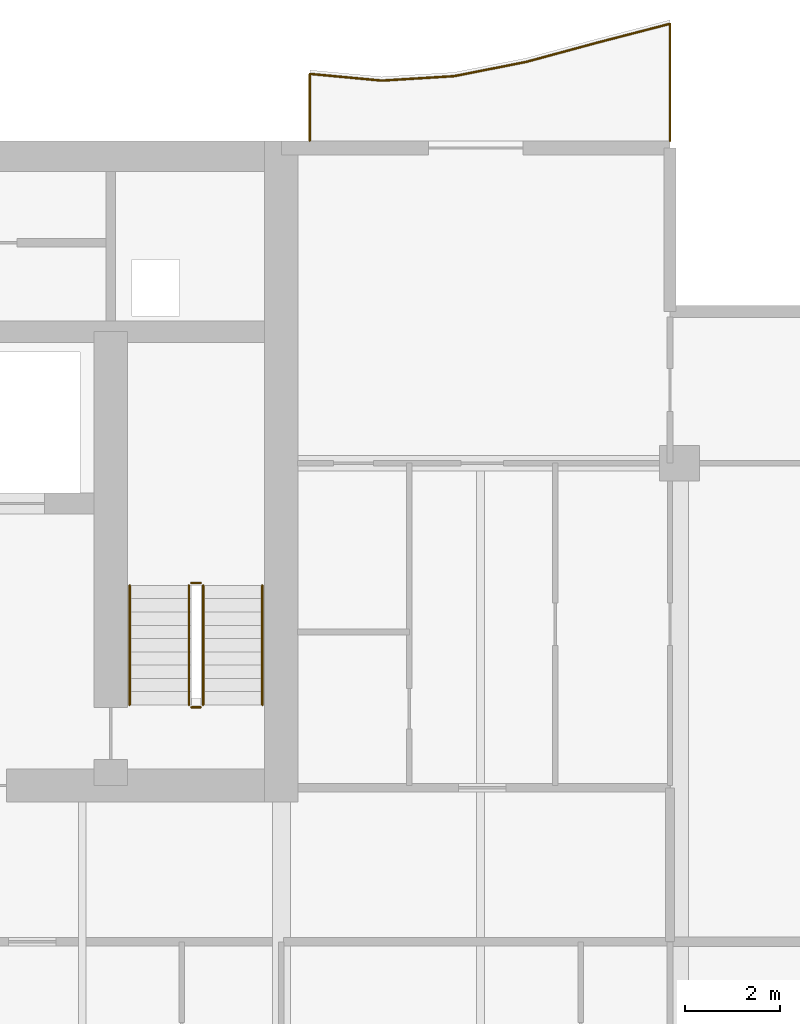
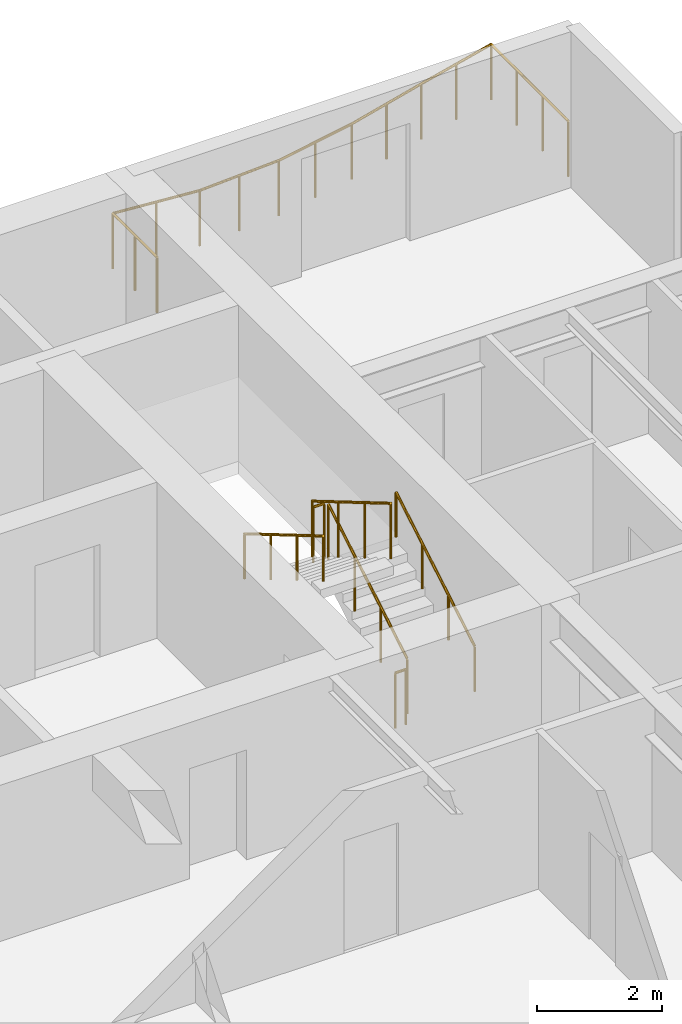
# One storey, part 17 of 18: 7 railings.
"""IFC4 building model written with IfcOpenShell, lengths in metres."""

from ifc_helpers import new_model, si_unit, direction, frame, origin, origin_2d, place, context, subcontext, project, spatial, circle, extrude, material, type_object, element, save


model = new_model("IFC4")

# Units and contexts
model_context = context("Model", 3, precision=1e-05, world=origin(), true_north=direction((0.0, 1.0)))
body_context = subcontext(model_context, "Body", "Model", "MODEL_VIEW")
ifc_project = project(units=[si_unit("LENGTHUNIT", "METRE"), si_unit("AREAUNIT", "SQUARE_METRE"), si_unit("VOLUMEUNIT", "CUBIC_METRE"), si_unit("PLANEANGLEUNIT", "RADIAN"), si_unit("MASSUNIT", "GRAM", prefix="KILO")], contexts=[model_context])

# Site, building, storey
site_placement = place(None, origin())
site = spatial("IfcSite", under=ifc_project, at=site_placement, CompositionType="ELEMENT")
building_placement = place(site_placement, origin())
building = spatial("IfcBuilding", under=site, at=building_placement, Name="Caelmar Bay Residences", CompositionType="ELEMENT")
storey_placement = place(building_placement, frame((0.0, 0.0, 170.39990234375)))
storey = spatial("IfcBuildingStorey", under=building, at=storey_placement, Name="L47", CompositionType="ELEMENT", Elevation=170.39990234375)

# Railings
ifc_material_1 = material(Name="Anodised bronze handrail with laminated hurricane glass infill", Category="glass")
railing_type_1 = type_object("IfcRailingType", Name="RL-BAL-1100", PredefinedType="BALUSTRADE", material=ifc_material_1)
railing_1_placement = place(storey_placement, frame((67.699951171875, 50.60009765625, 0.0)))
element("IfcRailing", 1, at=railing_1_placement, inside=storey, type_object=railing_type_1, Name="L47 north_east Balcony Balustrade", PredefinedType="BALUSTRADE", context=body_context, shape_type="SweptSolid", body=[
    extrude(circle(Radius=0.02392578125, at=origin_2d()), frame((0.0, 0.0, 1.076171875), z_axis=(0.0, 1.0, 0.0), x_axis=(-1.0, 0.0, 0.0)), (0.0, 0.0, 1.0), 2.4697265625),
    extrude(circle(Radius=0.02392578125, at=origin_2d()), frame((0.0, 2.4697265625, 1.076171875), z_axis=(-0.968040251218, -0.250794880375, 0.0), x_axis=(0.250794880375, -0.968040251218, 0.0)), (0.0, 0.0, 1.0), 1.5703125),
    extrude(circle(Radius=0.02392578125, at=origin_2d()), frame((-1.52001953125, 2.075927734375, 1.076171875), z_axis=(-0.965273626461, -0.261240934884, 0.0), x_axis=(0.261240934884, -0.965273626461, 0.0)), (0.0, 0.0, 1.0), 1.57470703125),
    extrude(circle(Radius=0.02392578125, at=origin_2d()), frame((-3.0400390625, 1.66455078125, 1.076171875), z_axis=(-0.981098441437, -0.193509297476, 0.0), x_axis=(0.193509297476, -0.981098441437, 0.0)), (0.0, 0.0, 1.0), 1.54931640625),
    extrude(circle(Radius=0.02392578125, at=origin_2d()), frame((-4.56005859375, 1.36474609375, 1.076171875), z_axis=(-0.998112625987, -0.061409981647, 0.0), x_axis=(0.061409981647, -0.998112625987, 0.0)), (0.0, 0.0, 1.0), 1.522705078125),
    extrude(circle(Radius=0.02392578125, at=origin_2d()), frame((-6.079833984375, 1.271240234375, 1.076171875), z_axis=(-0.995674076689, 0.092914654442, 0.0), x_axis=(-0.092914654442, -0.995674076689, 0.0)), (0.0, 0.0, 1.0), 1.526611328125),
    extrude(circle(Radius=0.02392578125, at=origin_2d()), frame((-7.599853515625, 1.4130859375, 1.076171875), z_axis=(0.0, -1.0, 0.0), x_axis=(1.0, 0.0, 0.0)), (0.0, 0.0, 1.0), 1.4130859375),
    extrude(circle(Radius=0.02099609375, at=origin_2d()), origin(), (0.0, 0.0, 1.0), 1.052001953125),
    extrude(circle(Radius=0.02099609375, at=origin_2d()), frame((0.0, 0.8232421875, 0.0)), (0.0, 0.0, 1.0), 1.052001953125),
    extrude(circle(Radius=0.02099609375, at=origin_2d()), frame((0.0, 1.646484375, 0.0)), (0.0, 0.0, 1.0), 1.052001953125),
    extrude(circle(Radius=0.02099609375, at=origin_2d()), frame((0.0, 2.4697265625, 0.0)), (0.0, 0.0, 1.0), 1.052001953125),
    extrude(circle(Radius=0.02099609375, at=origin_2d()), frame((-0.760009765625, 2.27294921875, 0.0)), (0.0, 0.0, 1.0), 1.052001953125),
    extrude(circle(Radius=0.02099609375, at=origin_2d()), frame((-1.52001953125, 2.075927734375, 0.0)), (0.0, 0.0, 1.0), 1.052001953125),
    extrude(circle(Radius=0.02099609375, at=origin_2d()), frame((-2.280029296875, 1.8701171875, 0.0)), (0.0, 0.0, 1.0), 1.052001953125),
    extrude(circle(Radius=0.02099609375, at=origin_2d()), frame((-3.0400390625, 1.66455078125, 0.0)), (0.0, 0.0, 1.0), 1.052001953125),
    extrude(circle(Radius=0.02099609375, at=origin_2d()), frame((-3.800048828125, 1.5146484375, 0.0)), (0.0, 0.0, 1.0), 1.052001953125),
    extrude(circle(Radius=0.02099609375, at=origin_2d()), frame((-4.56005859375, 1.36474609375, 0.0)), (0.0, 0.0, 1.0), 1.052001953125),
    extrude(circle(Radius=0.02099609375, at=origin_2d()), frame((-5.31982421875, 1.31787109375, 0.0)), (0.0, 0.0, 1.0), 1.052001953125),
    extrude(circle(Radius=0.02099609375, at=origin_2d()), frame((-6.079833984375, 1.271240234375, 0.0)), (0.0, 0.0, 1.0), 1.052001953125),
    extrude(circle(Radius=0.02099609375, at=origin_2d()), frame((-6.83984375, 1.34228515625, 0.0)), (0.0, 0.0, 1.0), 1.052001953125),
    extrude(circle(Radius=0.02099609375, at=origin_2d()), frame((-7.599853515625, 1.4130859375, 0.0)), (0.0, 0.0, 1.0), 1.052001953125),
    extrude(circle(Radius=0.02099609375, at=origin_2d()), frame((-7.599853515625, 0.70654296875, 0.0)), (0.0, 0.0, 1.0), 1.052001953125),
    extrude(circle(Radius=0.02099609375, at=origin_2d()), frame((-7.599853515625, 0.0, 0.0)), (0.0, 0.0, 1.0), 1.052001953125),
])
ifc_material_2 = material(Name="Painted galvanized steel stair guard 1100 mm", Category="steel")
railing_type_2 = type_object("IfcRailingType", Name="RL-GRD-1100", PredefinedType="GUARDRAIL", material=ifc_material_2)
railing_2_placement = place(storey_placement, frame((57.85009765625, 38.699951171875, 0.1650390625)))
element("IfcRailing", 2, at=railing_2_placement, inside=storey, type_object=railing_type_2, Name="L47 ST2 stair guard 1", PredefinedType="GUARDRAIL", context=body_context, shape_type="SweptSolid", body=[
    extrude(circle(Radius=0.02392578125, at=origin_2d()), frame((0.0, 0.0, 1.076171875), z_axis=(0.0, 0.86152411907, 0.507716645641), x_axis=(-1.0, 0.0, 0.0)), (0.0, 0.0, 1.0), 2.925048828125),
    extrude(circle(Radius=0.02099609375, at=origin_2d()), origin(), (0.0, 0.0, 1.0), 1.052001953125),
    extrude(circle(Radius=0.02099609375, at=origin_2d()), frame((0.0, 0.840087890625, 0.4951171875)), (0.0, 0.0, 1.0), 1.052001953125),
    extrude(circle(Radius=0.02099609375, at=origin_2d()), frame((0.0, 1.679931640625, 0.989990234375)), (0.0, 0.0, 1.0), 1.052001953125),
    extrude(circle(Radius=0.02099609375, at=origin_2d()), frame((0.0, 2.52001953125, 1.485107421875)), (0.0, 0.0, 1.0), 1.052001953125),
])
railing_3_placement = place(storey_placement, frame((57.800048828125, 41.27001953125, 1.650146484375)))
element("IfcRailing", 3, at=railing_3_placement, inside=storey, type_object=railing_type_2, Name="L47 ST2 stair guard 2", PredefinedType="GUARDRAIL", context=body_context, shape_type="SweptSolid", body=[
    extrude(circle(Radius=0.02392578125, at=origin_2d()), frame((0.0, 0.0, 1.076171875), z_axis=(-1.0, 0.0, 0.0), x_axis=(0.0, -1.0, 0.0)), (0.0, 0.0, 1.0), 0.199951171875),
    extrude(circle(Radius=0.02099609375, at=origin_2d()), origin(), (0.0, 0.0, 1.0), 1.052001953125),
    extrude(circle(Radius=0.02099609375, at=origin_2d()), frame((-0.199951171875, 0.0, 0.0)), (0.0, 0.0, 1.0), 1.052001953125),
])
railing_4_placement = place(storey_placement, frame((57.550048828125, 41.219970703125, 1.815185546875)))
element("IfcRailing", 4, at=railing_4_placement, inside=storey, type_object=railing_type_2, Name="L47 ST2 stair guard 3", PredefinedType="GUARDRAIL", context=body_context, shape_type="SweptSolid", body=[
    extrude(circle(Radius=0.02392578125, at=origin_2d()), frame((0.0, 0.0, 1.076171875), z_axis=(0.0, -0.861560626758, 0.507654692109), x_axis=(1.0, 0.0, 0.0)), (0.0, 0.0, 1.0), 2.925048828125),
    extrude(circle(Radius=0.02099609375, at=origin_2d()), origin(), (0.0, 0.0, 1.0), 1.052001953125),
    extrude(circle(Radius=0.02099609375, at=origin_2d()), frame((0.0, -0.840087890625, 0.494873046875)), (0.0, 0.0, 1.0), 1.052001953125),
    extrude(circle(Radius=0.02099609375, at=origin_2d()), frame((0.0, -1.679931640625, 0.989990234375)), (0.0, 0.0, 1.0), 1.052001953125),
    extrude(circle(Radius=0.02099609375, at=origin_2d()), frame((0.0, -2.52001953125, 1.48486328125)), (0.0, 0.0, 1.0), 1.052001953125),
])
railing_5_placement = place(storey_placement, frame((57.800048828125, 38.64990234375, 0.0)))
element("IfcRailing", 5, at=railing_5_placement, inside=storey, type_object=railing_type_2, Name="L47 ST2 stair guard 4", PredefinedType="GUARDRAIL", context=body_context, shape_type="SweptSolid", body=[
    extrude(circle(Radius=0.02392578125, at=origin_2d()), frame((0.0, 0.0, 1.076171875), z_axis=(-1.0, 0.0, 0.0), x_axis=(0.0, -1.0, 0.0)), (0.0, 0.0, 1.0), 0.199951171875),
    extrude(circle(Radius=0.02099609375, at=origin_2d()), origin(), (0.0, 0.0, 1.0), 1.052001953125),
    extrude(circle(Radius=0.02099609375, at=origin_2d()), frame((-0.199951171875, 0.0, 0.0)), (0.0, 0.0, 1.0), 1.052001953125),
])
ifc_material_3 = material(Name="Brushed bronze stainless-steel tubular handrail 900 mm", Category="steel")
railing_type_3 = type_object("IfcRailingType", Name="RL-HND-900", PredefinedType="HANDRAIL", material=ifc_material_3)
railing_6_placement = place(storey_placement, frame((59.10009765625, 38.699951171875, 0.1650390625)))
element("IfcRailing", 6, at=railing_6_placement, inside=storey, type_object=railing_type_3, Name="L47 ST2 stair handrail 1", PredefinedType="HANDRAIL", context=body_context, shape_type="SweptSolid", body=[
    extrude(circle(Radius=0.02392578125, at=origin_2d()), frame((0.0, 0.0, 0.8759765625), z_axis=(0.0, 0.86152411907, 0.507716645641), x_axis=(-1.0, 0.0, 0.0)), (0.0, 0.0, 1.0), 2.925048828125),
    extrude(circle(Radius=0.02099609375, at=origin_2d()), origin(), (0.0, 0.0, 1.0), 0.851806640625),
    extrude(circle(Radius=0.02099609375, at=origin_2d()), frame((0.0, 0.840087890625, 0.4951171875)), (0.0, 0.0, 1.0), 0.851806640625),
    extrude(circle(Radius=0.02099609375, at=origin_2d()), frame((0.0, 1.679931640625, 0.989990234375)), (0.0, 0.0, 1.0), 0.851806640625),
    extrude(circle(Radius=0.02099609375, at=origin_2d()), frame((0.0, 2.52001953125, 1.485107421875)), (0.0, 0.0, 1.0), 0.851806640625),
])
railing_7_placement = place(storey_placement, frame((56.300048828125, 41.219970703125, 1.815185546875)))
element("IfcRailing", 7, at=railing_7_placement, inside=storey, type_object=railing_type_3, Name="L47 ST2 stair handrail 2", PredefinedType="HANDRAIL", context=body_context, shape_type="SweptSolid", body=[
    extrude(circle(Radius=0.02392578125, at=origin_2d()), frame((0.0, 0.0, 0.8759765625), z_axis=(0.0, -0.861560626758, 0.507654692109), x_axis=(1.0, 0.0, 0.0)), (0.0, 0.0, 1.0), 2.925048828125),
    extrude(circle(Radius=0.02099609375, at=origin_2d()), origin(), (0.0, 0.0, 1.0), 0.851806640625),
    extrude(circle(Radius=0.02099609375, at=origin_2d()), frame((0.0, -0.840087890625, 0.494873046875)), (0.0, 0.0, 1.0), 0.851806640625),
    extrude(circle(Radius=0.02099609375, at=origin_2d()), frame((0.0, -1.679931640625, 0.989990234375)), (0.0, 0.0, 1.0), 0.851806640625),
    extrude(circle(Radius=0.02099609375, at=origin_2d()), frame((0.0, -2.52001953125, 1.48486328125)), (0.0, 0.0, 1.0), 0.851806640625),
])

save(model, "model.ifc")
